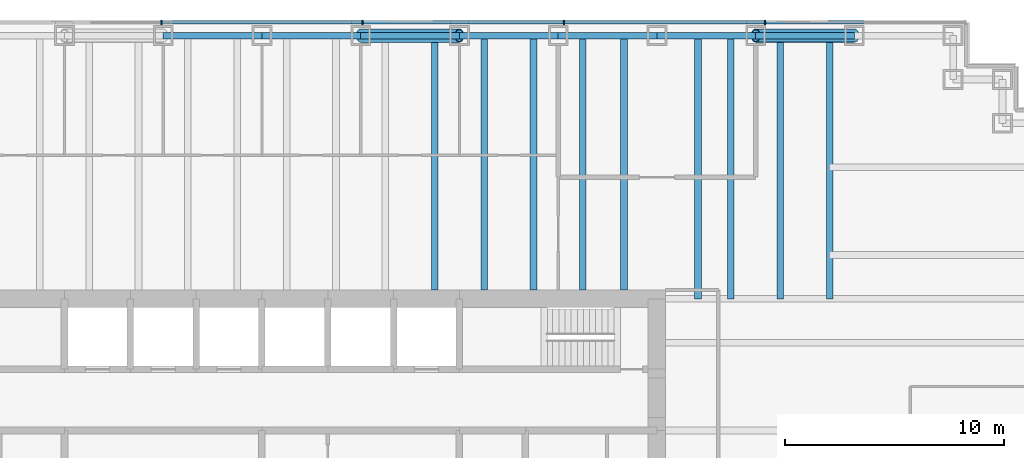
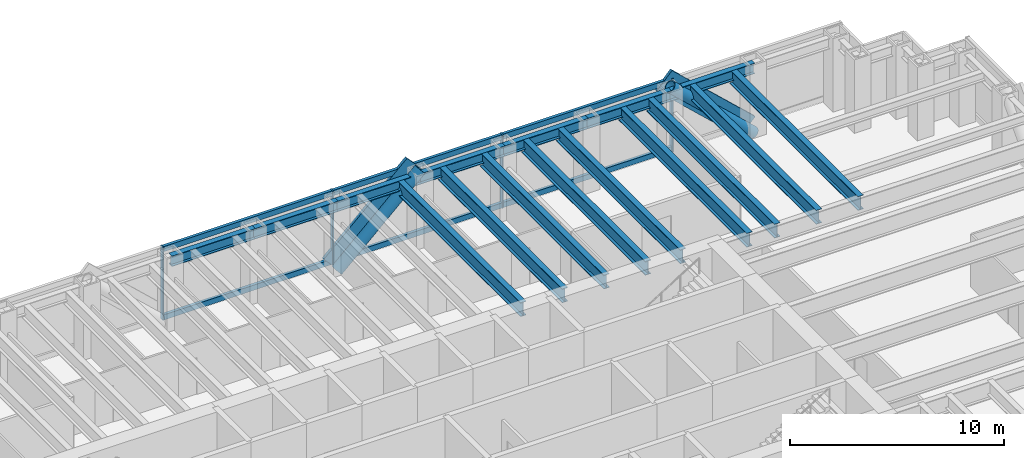
# One storey, part 7 of 17: 16 beams, 14 members, 1 element without a shape of its own.
"""IFC4 building model written with IfcOpenShell, lengths in metres."""

from ifc_helpers import new_model, si_unit, direction, frame, origin, origin_2d, place, context, subcontext, project, spatial, rectangle, hollow_circle, i_section, extrude, material, material_profile, profile_set, type_object, element, aggregate, save


model = new_model("IFC4")

# Units and contexts
model_context = context("Model", 3, precision=1e-05, world=origin(), true_north=direction((0.0, 1.0)))
body_context = subcontext(model_context, "Body", "Model", "MODEL_VIEW")
ifc_project = project(units=[si_unit("LENGTHUNIT", "METRE"), si_unit("AREAUNIT", "SQUARE_METRE"), si_unit("VOLUMEUNIT", "CUBIC_METRE"), si_unit("PLANEANGLEUNIT", "RADIAN"), si_unit("MASSUNIT", "GRAM", prefix="KILO")], contexts=[model_context])

# Site, building, storey
site_placement = place(None, origin())
site = spatial("IfcSite", under=ifc_project, at=site_placement, CompositionType="ELEMENT")
building_placement = place(site_placement, origin())
building = spatial("IfcBuilding", under=site, at=building_placement, Name="Rheinbord Bourse Tower", CompositionType="ELEMENT")
storey_placement = place(building_placement, frame((0.0, 0.0, 190.0)))
storey = spatial("IfcBuildingStorey", under=building, at=storey_placement, Name="L42", CompositionType="ELEMENT", Elevation=190.0)

# Curtain wall, members
ifc_material_1 = material(Name="Dark glass and black aluminium", Category="aluminium")
curtain_wall_type = type_object("IfcCurtainWallType", Name="CW2 DARK GLASS CURTAIN WALL", PredefinedType="USERDEFINED", material=ifc_material_1)
curtain_wall_placement = place(storey_placement, origin())
curtain_wall = element("IfcCurtainWall", 1, at=curtain_wall_placement, inside=storey, type_object=curtain_wall_type, Name="Curtain wall CW2 N L42", ObjectType="UNITISED CURTAIN WALL", PredefinedType="USERDEFINED")
ifc_material_2 = material(Name="Black anodised aluminium", Category="aluminium")
ifc_material_profile_1 = material_profile(ifc_material_2, rectangle(XDim=0.159912109375, YDim=1.2099609375, at=origin_2d()), Name="CW2 DIAGONAL MULLION 1210x160")
ifc_profile_set_1 = profile_set([ifc_material_profile_1], Name="Black anodised aluminium")
member_type_1 = type_object("IfcMemberType", Name="CW2 BLACK DIAGONAL MULLION", PredefinedType="USERDEFINED", material=ifc_profile_set_1)
member_1_placement = place(storey_placement, frame((63.0, 44.60009765625, 0.0), z_axis=(-0.73105922506, 0.0, 0.682314010889), x_axis=(0.0, -1.0, 0.0)))
member_1 = element("IfcMember", 2, at=member_1_placement, type_object=member_type_1, Name="CW2 diagonal mullion a", ObjectType="DIAGONAL MULLION", PredefinedType="USERDEFINED", context=body_context, shape_type="SweptSolid", body=[
    extrude(rectangle(XDim=0.159912109375, YDim=1.2099609375, at=origin_2d()), origin(), (0.0, 0.0, 1.0), 6.155517578125),
])
member_2_placement = place(storey_placement, frame((40.5, 44.60009765625, 0.0), z_axis=(0.73105922506, 0.0, 0.682314010889), x_axis=(0.0, 1.0, 0.0)))
member_2 = element("IfcMember", 3, at=member_2_placement, type_object=member_type_1, Name="CW2 diagonal mullion d", ObjectType="DIAGONAL MULLION", PredefinedType="USERDEFINED", context=body_context, shape_type="SweptSolid", body=[
    extrude(rectangle(XDim=0.159912109375, YDim=1.2099609375, at=origin_2d()), origin(), (0.0, 0.0, 1.0), 6.155517578125),
])
ifc_material_3 = material(Name="Black anodised aluminium", Category="aluminium")
ifc_material_profile_2 = material_profile(ifc_material_3, rectangle(XDim=0.219970703125, YDim=0.070068359375, at=origin_2d()), Name="CW2 MULLION 70x220")
ifc_profile_set_2 = profile_set([ifc_material_profile_2], Name="Black anodised aluminium")
member_type_2 = type_object("IfcMemberType", Name="CW2 BLACK MULLION", PredefinedType="MULLION", material=ifc_profile_set_2)
member_3_placement = place(storey_placement, frame((58.928466796875, 44.60009765625, 0.0), z_axis=(0.0, 0.0, 1.0), x_axis=(0.0, -1.0, 0.0)))
member_3 = element("IfcMember", 4, at=member_3_placement, type_object=member_type_2, Name="CW2 mullion 2", PredefinedType="MULLION", context=body_context, shape_type="SweptSolid", body=[
    extrude(rectangle(XDim=0.219970703125, YDim=0.070068359375, at=origin_2d()), origin(), (0.0, 0.0, 1.0), 4.199951171875),
])
member_4_placement = place(storey_placement, frame((49.757080078125, 44.60009765625, 0.0), z_axis=(0.0, 0.0, 1.0), x_axis=(0.0, -1.0, 0.0)))
member_4 = element("IfcMember", 5, at=member_4_placement, type_object=member_type_2, Name="CW2 mullion 3", PredefinedType="MULLION", context=body_context, shape_type="SweptSolid", body=[
    extrude(rectangle(XDim=0.219970703125, YDim=0.070068359375, at=origin_2d()), origin(), (0.0, 0.0, 1.0), 4.199951171875),
])
member_5_placement = place(storey_placement, frame((40.585693359375, 44.60009765625, 0.0), z_axis=(0.0, 0.0, 1.0), x_axis=(0.0, -1.0, 0.0)))
member_5 = element("IfcMember", 6, at=member_5_placement, type_object=member_type_2, Name="CW2 mullion 4", PredefinedType="MULLION", context=body_context, shape_type="SweptSolid", body=[
    extrude(rectangle(XDim=0.219970703125, YDim=0.070068359375, at=origin_2d()), origin(), (0.0, 0.0, 1.0), 4.199951171875),
])
member_6_placement = place(storey_placement, frame((31.414306640625, 44.60009765625, 0.0), z_axis=(0.0, 0.0, 1.0), x_axis=(0.0, -1.0, 0.0)))
member_6 = element("IfcMember", 7, at=member_6_placement, type_object=member_type_2, Name="CW2 mullion 5", PredefinedType="MULLION", context=body_context, shape_type="SweptSolid", body=[
    extrude(rectangle(XDim=0.219970703125, YDim=0.070068359375, at=origin_2d()), origin(), (0.0, 0.0, 1.0), 4.199951171875),
])
ifc_material_4 = material(Name="Black anodised aluminium", Category="aluminium")
ifc_material_profile_3 = material_profile(ifc_material_4, rectangle(XDim=0.159912109375, YDim=0.300048828125, at=origin_2d()), Name="CW2 TRANSOM 300x160")
ifc_profile_set_3 = profile_set([ifc_material_profile_3], Name="Black anodised aluminium")
member_type_3 = type_object("IfcMemberType", Name="CW2 BLACK TRANSOM", PredefinedType="USERDEFINED", material=ifc_profile_set_3)
member_7_placement = place(storey_placement, frame((58.8935546875, 44.60009765625, 0.14990234375), z_axis=(-1.0, 0.0, 0.0), x_axis=(0.0, -1.0, 0.0)))
member_7 = element("IfcMember", 8, at=member_7_placement, type_object=member_type_3, Name="CW2 transom 2.1", ObjectType="TRANSOM", PredefinedType="USERDEFINED", context=body_context, shape_type="SweptSolid", body=[
    extrude(rectangle(XDim=0.159912109375, YDim=0.300048828125, at=origin_2d()), origin(), (0.0, 0.0, 1.0), 9.101318359375),
])
member_8_placement = place(storey_placement, frame((58.8935546875, 44.60009765625, 4.050048828125), z_axis=(-1.0, 0.0, 0.0), x_axis=(0.0, -1.0, 0.0)))
member_8 = element("IfcMember", 9, at=member_8_placement, type_object=member_type_3, Name="CW2 transom 2.2", ObjectType="TRANSOM", PredefinedType="USERDEFINED", context=body_context, shape_type="SweptSolid", body=[
    extrude(rectangle(XDim=0.159912109375, YDim=0.300048828125, at=origin_2d()), origin(), (0.0, 0.0, 1.0), 9.101318359375),
])
member_9_placement = place(storey_placement, frame((49.72216796875, 44.60009765625, 0.14990234375), z_axis=(-1.0, 0.0, 0.0), x_axis=(0.0, -1.0, 0.0)))
member_9 = element("IfcMember", 10, at=member_9_placement, type_object=member_type_3, Name="CW2 transom 3.1", ObjectType="TRANSOM", PredefinedType="USERDEFINED", context=body_context, shape_type="SweptSolid", body=[
    extrude(rectangle(XDim=0.159912109375, YDim=0.300048828125, at=origin_2d()), origin(), (0.0, 0.0, 1.0), 9.1015625),
])
member_10_placement = place(storey_placement, frame((49.72216796875, 44.60009765625, 4.050048828125), z_axis=(-1.0, 0.0, 0.0), x_axis=(0.0, -1.0, 0.0)))
member_10 = element("IfcMember", 11, at=member_10_placement, type_object=member_type_3, Name="CW2 transom 3.2", ObjectType="TRANSOM", PredefinedType="USERDEFINED", context=body_context, shape_type="SweptSolid", body=[
    extrude(rectangle(XDim=0.159912109375, YDim=0.300048828125, at=origin_2d()), origin(), (0.0, 0.0, 1.0), 9.1015625),
])
member_11_placement = place(storey_placement, frame((40.55078125, 44.60009765625, 0.14990234375), z_axis=(-1.0, 0.0, 0.0), x_axis=(0.0, -1.0, 0.0)))
member_11 = element("IfcMember", 12, at=member_11_placement, type_object=member_type_3, Name="CW2 transom 4.1", ObjectType="TRANSOM", PredefinedType="USERDEFINED", context=body_context, shape_type="SweptSolid", body=[
    extrude(rectangle(XDim=0.159912109375, YDim=0.300048828125, at=origin_2d()), origin(), (0.0, 0.0, 1.0), 9.1015625),
])
member_12_placement = place(storey_placement, frame((40.55078125, 44.60009765625, 4.050048828125), z_axis=(-1.0, 0.0, 0.0), x_axis=(0.0, -1.0, 0.0)))
member_12 = element("IfcMember", 13, at=member_12_placement, type_object=member_type_3, Name="CW2 transom 4.2", ObjectType="TRANSOM", PredefinedType="USERDEFINED", context=body_context, shape_type="SweptSolid", body=[
    extrude(rectangle(XDim=0.159912109375, YDim=0.300048828125, at=origin_2d()), origin(), (0.0, 0.0, 1.0), 9.1015625),
])
aggregate(curtain_wall, [member_3, member_4, member_5, member_6, member_7, member_8, member_9, member_10, member_11, member_12, member_1, member_2])

# Beams
ifc_material_5 = material(Name="Steel S460", Category="steel")
ifc_material_profile_4 = material_profile(ifc_material_5, i_section(OverallWidth=0.300048828125, OverallDepth=0.800048828125, WebThickness=0.017578125, FlangeThickness=0.032958984375, at=origin_2d()), Name="HEB 800")
ifc_profile_set_4 = profile_set([ifc_material_profile_4], Name="Steel S460")
beam_type_1 = type_object("IfcBeamType", Name="FLOOR BEAM HEB 800", PredefinedType="BEAM", material=ifc_profile_set_4)
for number, where, z_axis, x_axis, name in (
    (14, (43.875, 44.0, 3.639892578125), (0.0, -1.0, 0.0), (1.0, 0.0, 0.0), "Floor beam N-40.5b L43"),
    (15, (46.125, 44.0, 3.639892578125), (0.0, -1.0, 0.0), (1.0, 0.0, 0.0), "Floor beam N-45a L43"),
    (16, (48.375, 44.0, 3.639892578125), (0.0, -1.0, 0.0), (1.0, 0.0, 0.0), "Floor beam N-45b L43"),
    (17, (50.625, 44.0, 3.639892578125), (0.0, -1.0, 0.0), (1.0, 0.0, 0.0), "Floor beam N-49.5a L43"),
    (18, (52.5, 44.0, 3.639892578125), (0.0, -1.0, 0.0), (1.0, 0.0, 0.0), "Floor beam N-49.5b L43"),
):
    element("IfcBeam", number, at=place(storey_placement, frame(where, z_axis=z_axis, x_axis=x_axis)), inside=storey, type_object=beam_type_1, Name=name, PredefinedType="BEAM", context=body_context, shape_type="SweptSolid", body=[
        extrude(i_section(OverallWidth=0.300048828125, OverallDepth=0.800048828125, WebThickness=0.017578125, FlangeThickness=0.032958984375, at=origin_2d()), origin(), (0.0, 0.0, 1.0), 11.60009765625),
    ])
for number, where, z_axis, x_axis, name in (
    (19, (55.875, 44.0, 3.639892578125), (0.0, -1.0, 0.0), (1.0, 0.0, 0.0), "Floor beam N-54a L43"),
    (20, (57.375, 44.0, 3.639892578125), (0.0, -1.0, 0.0), (1.0, 0.0, 0.0), "Floor beam N-54b L43"),
    (21, (59.625, 44.0, 3.639892578125), (0.0, -1.0, 0.0), (1.0, 0.0, 0.0), "Floor beam N-58.5a L43"),
    (22, (61.875, 44.0, 3.639892578125), (0.0, -1.0, 0.0), (1.0, 0.0, 0.0), "Floor beam N-58.5b L43"),
):
    element("IfcBeam", number, at=place(storey_placement, frame(where, z_axis=z_axis, x_axis=x_axis)), inside=storey, type_object=beam_type_1, Name=name, PredefinedType="BEAM", context=body_context, shape_type="SweptSolid", body=[
        extrude(i_section(OverallWidth=0.300048828125, OverallDepth=0.800048828125, WebThickness=0.017578125, FlangeThickness=0.032958984375, at=origin_2d()), origin(), (0.0, 0.0, 1.0), 12.0),
    ])

# Members
ifc_material_6 = material(Name="Steel S460", Category="steel")
ifc_material_profile_5 = material_profile(ifc_material_6, hollow_circle(Radius=0.304931640625, WallThickness=0.0400390625, at=origin_2d()), Name="CHS 610x40")
ifc_profile_set_5 = profile_set([ifc_material_profile_5], Name="Steel S460")
member_type_4 = type_object("IfcMemberType", Name="MEGABRACE CHS 610x40", PredefinedType="BRACE", material=ifc_profile_set_5)
for number, where, z_axis, x_axis, name in (
    (23, (63.0, 44.0, 0.0), (-0.73105922506, 0.0, 0.682314010889), (0.0, -1.0, 0.0), "Megabrace N face line a L42"),
    (24, (40.5, 44.0, 0.0), (0.73105922506, 0.0, 0.682314010889), (0.0, 1.0, 0.0), "Megabrace N face line d L42"),
):
    element("IfcMember", number, at=place(storey_placement, frame(where, z_axis=z_axis, x_axis=x_axis)), inside=storey, type_object=member_type_4, Name=name, PredefinedType="BRACE", context=body_context, shape_type="SweptSolid", body=[
        extrude(hollow_circle(Radius=0.304931640625, WallThickness=0.0400390625, at=origin_2d()), origin(), (0.0, 0.0, 1.0), 6.155517578125),
    ])

# Beams
ifc_material_7 = material(Name="Steel S460", Category="steel")
ifc_material_profile_6 = material_profile(ifc_material_7, i_section(OverallWidth=0.300048828125, OverallDepth=0.60009765625, WebThickness=0.015380859375, FlangeThickness=0.030029296875, at=origin_2d()), Name="HEB 600")
ifc_profile_set_6 = profile_set([ifc_material_profile_6], Name="Steel S460")
beam_type_2 = type_object("IfcBeamType", Name="SPANDREL HEB 600", PredefinedType="SPANDREL", material=ifc_profile_set_6)
for number, where, z_axis, x_axis, name in (
    (25, (63.0, 44.0, 3.739990234375), (-1.0, 0.0, 0.0), (0.0, -1.0, 0.0), "Spandrel N-63-N-58.5 under L43"),
    (26, (58.5, 44.0, 3.739990234375), (-1.0, 0.0, 0.0), (0.0, -1.0, 0.0), "Spandrel N-58.5-N-54 under L43"),
    (27, (54.0, 44.0, 3.739990234375), (-1.0, 0.0, 0.0), (0.0, -1.0, 0.0), "Spandrel N-54-N-49.5 under L43"),
    (28, (49.5, 44.0, 3.739990234375), (-1.0, 0.0, 0.0), (0.0, -1.0, 0.0), "Spandrel N-49.5-N-45 under L43"),
    (29, (45.0, 44.0, 3.739990234375), (-1.0, 0.0, 0.0), (0.0, -1.0, 0.0), "Spandrel N-45-N-40.5 under L43"),
    (30, (40.5, 44.0, 3.739990234375), (-1.0, 0.0, 0.0), (0.0, -1.0, 0.0), "Spandrel N-40.5-N-36 under L43"),
    (31, (36.0, 44.0, 3.739990234375), (-1.0, 0.0, 0.0), (0.0, -1.0, 0.0), "Spandrel N-36-N-31.5 under L43"),
):
    element("IfcBeam", number, at=place(storey_placement, frame(where, z_axis=z_axis, x_axis=x_axis)), inside=storey, type_object=beam_type_2, Name=name, PredefinedType="SPANDREL", context=body_context, shape_type="SweptSolid", body=[
        extrude(i_section(OverallWidth=0.300048828125, OverallDepth=0.60009765625, WebThickness=0.015380859375, FlangeThickness=0.030029296875, at=origin_2d()), origin(), (0.0, 0.0, 1.0), 4.5),
    ])

save(model, "model.ifc")
